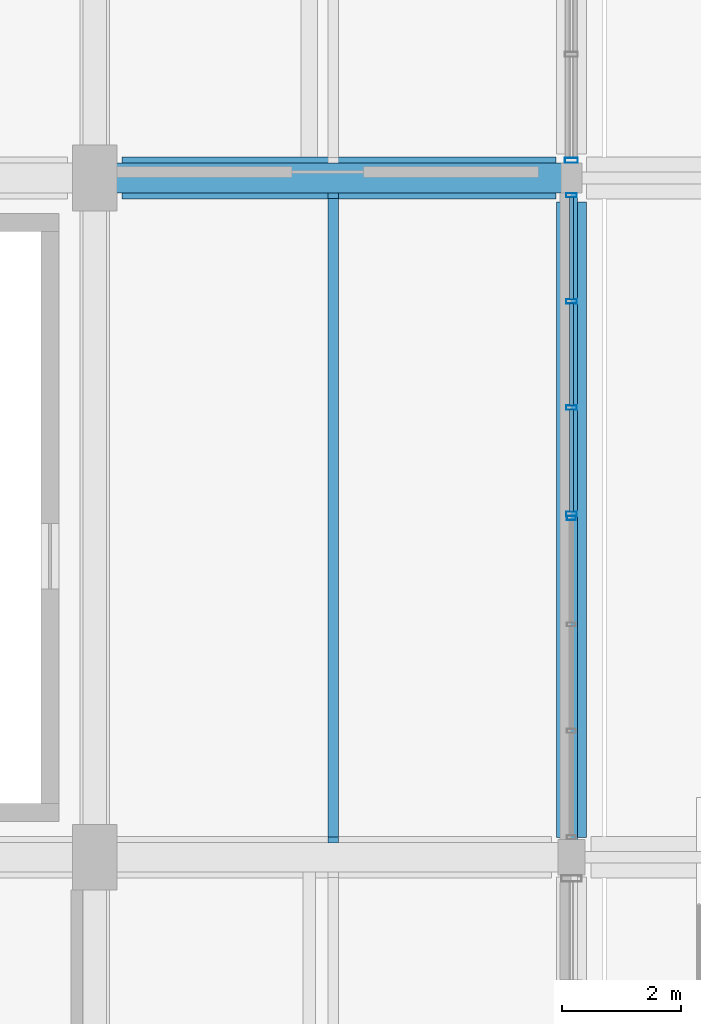
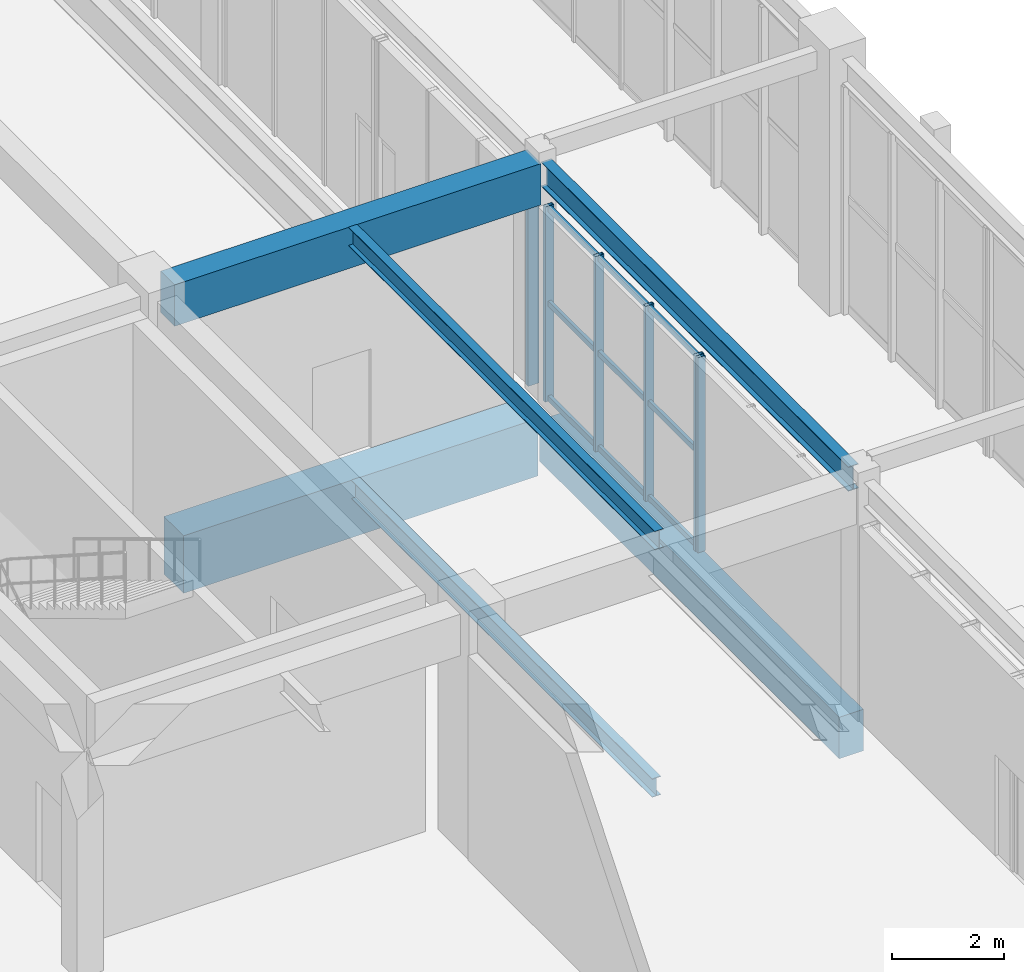
# One storey, part 30 of 113: 15 members, 6 beams, 3 elements without a shape of their own.
"""IFC4 building model written with IfcOpenShell, lengths in metres."""

from ifc_helpers import new_model, si_unit, direction, frame, origin, origin_2d, place, context, subcontext, project, spatial, rectangle, hollow_rectangle, i_section, extrude, material, layer, layer_set, material_profile, profile_set, type_object, element, aggregate, save


model = new_model("IFC4")

# Units and contexts
model_context = context("Model", 3, precision=1e-05, world=origin(), true_north=direction((0.0, 1.0)))
body_context = subcontext(model_context, "Body", "Model", "MODEL_VIEW")
ifc_project = project(units=[si_unit("LENGTHUNIT", "METRE"), si_unit("AREAUNIT", "SQUARE_METRE"), si_unit("VOLUMEUNIT", "CUBIC_METRE"), si_unit("PLANEANGLEUNIT", "RADIAN"), si_unit("MASSUNIT", "GRAM", prefix="KILO"), si_unit("POWERUNIT", "WATT"), si_unit("THERMODYNAMICTEMPERATUREUNIT", "KELVIN")], contexts=[model_context])

# Site, building, storey
site_placement = place(None, origin())
site = spatial("IfcSite", under=ifc_project, at=site_placement, CompositionType="ELEMENT")
building_placement = place(site_placement, origin())
building = spatial("IfcBuilding", under=site, at=building_placement, Name="Kelmbourne Parkland Aquatics Centre", CompositionType="ELEMENT")
storey_placement = place(building_placement, origin())
storey = spatial("IfcBuildingStorey", under=building, at=storey_placement, Name="L00", CompositionType="ELEMENT", Elevation=0.0)

# Beams
ifc_material_1 = material(Name="Concrete C40/50", Category="concrete")
ifc_material_profile_1 = material_profile(ifc_material_1, rectangle(XDim=0.5, YDim=0.89990234375, at=origin_2d()), Name="RC 500x900")
ifc_profile_set_1 = profile_set([ifc_material_profile_1], Name="Concrete C40/50")
beam_type_1 = type_object("IfcBeamType", Name="BM-G03", PredefinedType="BEAM", material=ifc_profile_set_1)
beam_1_placement = place(storey_placement, frame((40.0, 35.330078125, -0.72998046875), z_axis=(0.0, 1.0, 0.0), x_axis=(-1.0, 0.0, 0.0)))
element("IfcBeam", 1, at=beam_1_placement, inside=storey, type_object=beam_type_1, Name="Primary girder 05-06 Grid F (L00)", PredefinedType="BEAM", context=body_context, shape_type="SweptSolid", body=[
    extrude(rectangle(XDim=0.5, YDim=0.89990234375, at=origin_2d()), origin(), (0.0, 0.0, 1.0), 10.6650390625),
])
beam_2_placement = place(storey_placement, frame((32.330078125, 46.39990234375, 4.7099609375), z_axis=(1.0, 0.0, 0.0), x_axis=(0.0, 1.0, 0.0)))
element("IfcBeam", 2, at=beam_2_placement, inside=storey, type_object=beam_type_1, Name="Primary girder E-F Grid 06 (L01)", PredefinedType="BEAM", context=body_context, shape_type="SweptSolid", body=[
    extrude(rectangle(XDim=0.5, YDim=0.89990234375, at=origin_2d()), origin(), (0.0, 0.0, 1.0), 7.5400390625),
])
ifc_material_2 = material(Name="Concrete C50/60", Category="concrete")
ifc_material_profile_2 = material_profile(ifc_material_2, rectangle(XDim=0.699951171875, YDim=1.25, at=origin_2d()), Name="RC 700x1250")
ifc_profile_set_2 = profile_set([ifc_material_profile_2], Name="Concrete C50/60")
beam_type_2 = type_object("IfcBeamType", Name="BM-G08", PredefinedType="BEAM", material=ifc_profile_set_2)
beam_3_placement = place(storey_placement, frame((32.455078125, 46.39990234375, -0.905029296875), z_axis=(1.0, 0.0, 0.0), x_axis=(0.0, 1.0, 0.0)))
element("IfcBeam", 3, at=beam_3_placement, inside=storey, type_object=beam_type_2, Name="Primary girder E-F Grid 06 (L00)", PredefinedType="BEAM", context=body_context, shape_type="SweptSolid", body=[
    extrude(rectangle(XDim=0.699951171875, YDim=1.25, at=origin_2d()), origin(), (0.0, 0.0, 1.0), 7.2900390625),
])
ifc_material_3 = material(Name="Structural steel AS/NZS 3679.1 Grade 300", Category="steel")
ifc_material_profile_3 = material_profile(ifc_material_3, i_section(OverallWidth=0.177978515625, OverallDepth=0.406005859375, WebThickness=0.0078125, FlangeThickness=0.0126953125, at=origin_2d()), Name="410UB59.7")
ifc_profile_set_3 = profile_set([ifc_material_profile_3], Name="Structural steel AS/NZS 3679.1 Grade 300")
beam_type_3 = type_object("IfcBeamType", Name="BM-J01", PredefinedType="JOIST", material=ifc_profile_set_3)
beam_4_placement = place(storey_placement, frame((36.0, 35.342041015625, -0.48291015625), z_axis=(0.0, 1.0, 0.0), x_axis=(-1.0, 0.0, 0.0)))
element("IfcBeam", 4, at=beam_4_placement, inside=storey, type_object=beam_type_3, Name="Secondary floor joist E-F/05-06 #1 (L00)", PredefinedType="JOIST", context=body_context, shape_type="SweptSolid", body=[
    extrude(i_section(OverallWidth=0.177978515625, OverallDepth=0.406005859375, WebThickness=0.0078125, FlangeThickness=0.0126953125, at=origin_2d()), origin(), (0.0, 0.0, 1.0), 10.716064453125),
])
beam_5_placement = place(storey_placement, frame((36.0, 35.241943359375, 4.95703125), z_axis=(0.0, 1.0, 0.0), x_axis=(-1.0, 0.0, 0.0)))
element("IfcBeam", 5, at=beam_5_placement, inside=storey, type_object=beam_type_3, Name="Secondary floor joist E-F/05-06 #1 (L01)", PredefinedType="JOIST", context=body_context, shape_type="SweptSolid", body=[
    extrude(i_section(OverallWidth=0.177978515625, OverallDepth=0.406005859375, WebThickness=0.0078125, FlangeThickness=0.0126953125, at=origin_2d()), origin(), (0.0, 0.0, 1.0), 10.916015625),
])
ifc_material_profile_4 = material_profile(ifc_material_3, i_section(OverallWidth=0.208984375, OverallDepth=0.532958984375, WebThickness=0.01025390625, FlangeThickness=0.015625, at=origin_2d()), Name="530UB92.4")
ifc_profile_set_4 = profile_set([ifc_material_profile_4], Name="Structural steel AS/NZS 3679.1 Grade 300")
beam_type_4 = type_object("IfcBeamType", Name="BM-SP02", PredefinedType="SPANDREL", material=ifc_profile_set_4)
beam_6_placement = place(storey_placement, frame((40.0, 35.2548828125, 4.8935546875), z_axis=(0.0, 1.0, 0.0), x_axis=(-1.0, 0.0, 0.0)))
element("IfcBeam", 6, at=beam_6_placement, inside=storey, type_object=beam_type_4, Name="Perimeter spandrel 05-06 Grid F (L01)", PredefinedType="SPANDREL", context=body_context, shape_type="SweptSolid", body=[
    extrude(i_section(OverallWidth=0.208984375, OverallDepth=0.532958984375, WebThickness=0.01025390625, FlangeThickness=0.015625, at=origin_2d()), origin(), (0.0, 0.0, 1.0), 10.940185546875),
])

# Curtain wall, member
ifc_material_4 = material(Name="Thermally broken anodised aluminium framing", Category="aluminium")
ifc_layer_1 = layer(ifc_material_4, 0.179931640625)
ifc_layer_set_1 = layer_set([ifc_layer_1], Name="Thermally broken anodised aluminium framing")
curtain_wall_type_1 = type_object("IfcCurtainWallType", Name="CW-23", PredefinedType="NOTDEFINED", material=ifc_layer_set_1)
curtain_wall_1_placement = place(storey_placement, origin())
curtain_wall_1 = element("IfcCurtainWall", 7, at=curtain_wall_1_placement, inside=storey, type_object=curtain_wall_type_1, Name="Facade curtain wall CW-L00-215", PredefinedType="NOTDEFINED")
ifc_material_profile_5 = material_profile(ifc_material_4, hollow_rectangle(XDim=0.06494140625, YDim=0.14990234375, WallThickness=0.00390625, at=origin_2d()), Name="CW-M 65x150")
ifc_profile_set_5 = profile_set([ifc_material_profile_5], Name="Thermally broken anodised aluminium framing")
member_type_1 = type_object("IfcMemberType", Name="MB-MUL-1", PredefinedType="MULLION", material=ifc_profile_set_5)
member_1_placement = place(storey_placement, frame((40.0, 40.6923828125, 0.0), z_axis=(0.0, 0.0, 1.0), x_axis=(0.0, 1.0, 0.0)))
member_1 = element("IfcMember", 8, at=member_1_placement, type_object=member_type_1, Name="CW-L00-215 mullion 3", PredefinedType="MULLION", context=body_context, shape_type="SweptSolid", body=[
    extrude(hollow_rectangle(XDim=0.06494140625, YDim=0.14990234375, WallThickness=0.00390625, at=origin_2d()), origin(), (0.0, 0.0, 1.0), 4.2451171875),
])
aggregate(curtain_wall_1, [member_1])

# Curtain wall, members
ifc_layer_2 = layer(ifc_material_4, 0.179931640625)
ifc_layer_set_2 = layer_set([ifc_layer_2], Name="Thermally broken anodised aluminium framing")
curtain_wall_type_2 = type_object("IfcCurtainWallType", Name="CW-24", PredefinedType="NOTDEFINED", material=ifc_layer_set_2)
curtain_wall_2_placement = place(storey_placement, origin())
curtain_wall_2 = element("IfcCurtainWall", 9, at=curtain_wall_2_placement, inside=storey, type_object=curtain_wall_type_2, Name="Facade curtain wall CW-L00-216", PredefinedType="NOTDEFINED")
ifc_material_profile_6 = material_profile(ifc_material_4, hollow_rectangle(XDim=0.074951171875, YDim=0.179931640625, WallThickness=0.00439453125, at=origin_2d()), Name="CW-M 75x180")
ifc_profile_set_6 = profile_set([ifc_material_profile_6], Name="Thermally broken anodised aluminium framing")
member_type_2 = type_object("IfcMemberType", Name="MB-MUL-2", PredefinedType="MULLION", material=ifc_profile_set_6)
member_2_placement = place(storey_placement, frame((40.0, 40.762451171875, 0.0), z_axis=(0.0, 0.0, 1.0), x_axis=(0.0, 1.0, 0.0)))
member_2 = element("IfcMember", 10, at=member_2_placement, type_object=member_type_2, Name="CW-L00-216 mullion 0", PredefinedType="MULLION", context=body_context, shape_type="SweptSolid", body=[
    extrude(hollow_rectangle(XDim=0.074951171875, YDim=0.179931640625, WallThickness=0.00439453125, at=origin_2d()), origin(), (0.0, 0.0, 1.0), 4.2451171875),
])
member_3_placement = place(storey_placement, frame((40.0, 42.545166015625, 0.0), z_axis=(0.0, 0.0, 1.0), x_axis=(0.0, 1.0, 0.0)))
member_3 = element("IfcMember", 11, at=member_3_placement, type_object=member_type_2, Name="CW-L00-216 mullion 1", PredefinedType="MULLION", context=body_context, shape_type="SweptSolid", body=[
    extrude(hollow_rectangle(XDim=0.074951171875, YDim=0.179931640625, WallThickness=0.00439453125, at=origin_2d()), origin(), (0.0, 0.0, 1.0), 4.2451171875),
])
member_4_placement = place(storey_placement, frame((40.0, 44.327880859375, 0.0), z_axis=(0.0, 0.0, 1.0), x_axis=(0.0, 1.0, 0.0)))
member_4 = element("IfcMember", 12, at=member_4_placement, type_object=member_type_2, Name="CW-L00-216 mullion 2", PredefinedType="MULLION", context=body_context, shape_type="SweptSolid", body=[
    extrude(hollow_rectangle(XDim=0.074951171875, YDim=0.179931640625, WallThickness=0.00439453125, at=origin_2d()), origin(), (0.0, 0.0, 1.0), 4.2451171875),
])
member_5_placement = place(storey_placement, frame((40.0, 46.110595703125, 0.0), z_axis=(0.0, 0.0, 1.0), x_axis=(0.0, 1.0, 0.0)))
member_5 = element("IfcMember", 13, at=member_5_placement, type_object=member_type_2, Name="CW-L00-216 mullion 3", PredefinedType="MULLION", context=body_context, shape_type="SweptSolid", body=[
    extrude(hollow_rectangle(XDim=0.074951171875, YDim=0.179931640625, WallThickness=0.00439453125, at=origin_2d()), origin(), (0.0, 0.0, 1.0), 4.2451171875),
])

# Curtain wall, member
ifc_layer_3 = layer(ifc_material_4, 0.179931640625)
ifc_layer_set_3 = layer_set([ifc_layer_3], Name="Thermally broken anodised aluminium framing")
curtain_wall_type_3 = type_object("IfcCurtainWallType", Name="CW-01", PredefinedType="NOTDEFINED", material=ifc_layer_set_3)
curtain_wall_3_placement = place(storey_placement, origin())
curtain_wall_3 = element("IfcCurtainWall", 14, at=curtain_wall_3_placement, inside=storey, type_object=curtain_wall_type_3, Name="Facade curtain wall CW-L00-217", PredefinedType="NOTDEFINED")
ifc_material_profile_7 = material_profile(ifc_material_4, hollow_rectangle(XDim=0.0849609375, YDim=0.219970703125, WallThickness=0.0048828125, at=origin_2d()), Name="CW-M 85x220")
ifc_profile_set_7 = profile_set([ifc_material_profile_7], Name="Thermally broken anodised aluminium framing")
member_type_3 = type_object("IfcMemberType", Name="MB-MUL-3", PredefinedType="MULLION", material=ifc_profile_set_7)
member_6_placement = place(storey_placement, frame((40.0, 46.694580078125, 0.0), z_axis=(0.0, 0.0, 1.0), x_axis=(0.0, 1.0, 0.0)))
member_6 = element("IfcMember", 15, at=member_6_placement, type_object=member_type_3, Name="CW-L00-217 mullion 0", PredefinedType="MULLION", context=body_context, shape_type="SweptSolid", body=[
    extrude(hollow_rectangle(XDim=0.0849609375, YDim=0.219970703125, WallThickness=0.0048828125, at=origin_2d()), origin(), (0.0, 0.0, 1.0), 4.2451171875),
])
aggregate(curtain_wall_3, [member_6])

# Member
ifc_material_profile_8 = material_profile(ifc_material_4, hollow_rectangle(XDim=0.06494140625, YDim=0.1201171875, WallThickness=0.00341796875, at=origin_2d()), Name="CW-T 65x120")
ifc_profile_set_8 = profile_set([ifc_material_profile_8], Name="Thermally broken anodised aluminium framing")
member_type_4 = type_object("IfcMemberType", Name="MB-TRN-1", PredefinedType="USERDEFINED", material=ifc_profile_set_8)
member_7_placement = place(storey_placement, frame((40.0, 40.7958984375, 0.06298828125), z_axis=(0.0, 1.0, 0.0), x_axis=(-1.0, 0.0, 0.0)))
member_7 = element("IfcMember", 16, at=member_7_placement, type_object=member_type_4, Name="CW-L00-216 transom 0-0", ObjectType="TRANSOM", PredefinedType="USERDEFINED", context=body_context, shape_type="SweptSolid", body=[
    extrude(hollow_rectangle(XDim=0.06494140625, YDim=0.1201171875, WallThickness=0.00341796875, at=origin_2d()), origin(), (0.0, 0.0, 1.0), 1.7158203125),
])

member_8_placement = place(storey_placement, frame((40.0, 42.57861328125, 0.06298828125), z_axis=(0.0, 1.0, 0.0), x_axis=(-1.0, 0.0, 0.0)))
member_8 = element("IfcMember", 17, at=member_8_placement, type_object=member_type_4, Name="CW-L00-216 transom 0-1", ObjectType="TRANSOM", PredefinedType="USERDEFINED", context=body_context, shape_type="SweptSolid", body=[
    extrude(hollow_rectangle(XDim=0.06494140625, YDim=0.1201171875, WallThickness=0.00341796875, at=origin_2d()), origin(), (0.0, 0.0, 1.0), 1.715576171875),
])

member_9_placement = place(storey_placement, frame((40.0, 44.361328125, 0.06298828125), z_axis=(0.0, 1.0, 0.0), x_axis=(-1.0, 0.0, 0.0)))
member_9 = element("IfcMember", 18, at=member_9_placement, type_object=member_type_4, Name="CW-L00-216 transom 0-2", ObjectType="TRANSOM", PredefinedType="USERDEFINED", context=body_context, shape_type="SweptSolid", body=[
    extrude(hollow_rectangle(XDim=0.06494140625, YDim=0.1201171875, WallThickness=0.00341796875, at=origin_2d()), origin(), (0.0, 0.0, 1.0), 1.715576171875),
])

member_10_placement = place(storey_placement, frame((40.0, 40.7958984375, 2.12255859375), z_axis=(0.0, 1.0, 0.0), x_axis=(-1.0, 0.0, 0.0)))
member_10 = element("IfcMember", 19, at=member_10_placement, type_object=member_type_4, Name="CW-L00-216 transom 1-0", ObjectType="TRANSOM", PredefinedType="USERDEFINED", context=body_context, shape_type="SweptSolid", body=[
    extrude(hollow_rectangle(XDim=0.06494140625, YDim=0.1201171875, WallThickness=0.00341796875, at=origin_2d()), origin(), (0.0, 0.0, 1.0), 1.7158203125),
])

member_11_placement = place(storey_placement, frame((40.0, 42.57861328125, 2.12255859375), z_axis=(0.0, 1.0, 0.0), x_axis=(-1.0, 0.0, 0.0)))
member_11 = element("IfcMember", 20, at=member_11_placement, type_object=member_type_4, Name="CW-L00-216 transom 1-1", ObjectType="TRANSOM", PredefinedType="USERDEFINED", context=body_context, shape_type="SweptSolid", body=[
    extrude(hollow_rectangle(XDim=0.06494140625, YDim=0.1201171875, WallThickness=0.00341796875, at=origin_2d()), origin(), (0.0, 0.0, 1.0), 1.715576171875),
])

member_12_placement = place(storey_placement, frame((40.0, 44.361328125, 2.12255859375), z_axis=(0.0, 1.0, 0.0), x_axis=(-1.0, 0.0, 0.0)))
member_12 = element("IfcMember", 21, at=member_12_placement, type_object=member_type_4, Name="CW-L00-216 transom 1-2", ObjectType="TRANSOM", PredefinedType="USERDEFINED", context=body_context, shape_type="SweptSolid", body=[
    extrude(hollow_rectangle(XDim=0.06494140625, YDim=0.1201171875, WallThickness=0.00341796875, at=origin_2d()), origin(), (0.0, 0.0, 1.0), 1.715576171875),
])

member_13_placement = place(storey_placement, frame((40.0, 40.7958984375, 4.181884765625), z_axis=(0.0, 1.0, 0.0), x_axis=(-1.0, 0.0, 0.0)))
member_13 = element("IfcMember", 22, at=member_13_placement, type_object=member_type_4, Name="CW-L00-216 transom 2-0", ObjectType="TRANSOM", PredefinedType="USERDEFINED", context=body_context, shape_type="SweptSolid", body=[
    extrude(hollow_rectangle(XDim=0.06494140625, YDim=0.1201171875, WallThickness=0.00341796875, at=origin_2d()), origin(), (0.0, 0.0, 1.0), 1.7158203125),
])

member_14_placement = place(storey_placement, frame((40.0, 42.57861328125, 4.181884765625), z_axis=(0.0, 1.0, 0.0), x_axis=(-1.0, 0.0, 0.0)))
member_14 = element("IfcMember", 23, at=member_14_placement, type_object=member_type_4, Name="CW-L00-216 transom 2-1", ObjectType="TRANSOM", PredefinedType="USERDEFINED", context=body_context, shape_type="SweptSolid", body=[
    extrude(hollow_rectangle(XDim=0.06494140625, YDim=0.1201171875, WallThickness=0.00341796875, at=origin_2d()), origin(), (0.0, 0.0, 1.0), 1.715576171875),
])

member_15_placement = place(storey_placement, frame((40.0, 44.361328125, 4.181884765625), z_axis=(0.0, 1.0, 0.0), x_axis=(-1.0, 0.0, 0.0)))
member_15 = element("IfcMember", 24, at=member_15_placement, type_object=member_type_4, Name="CW-L00-216 transom 2-2", ObjectType="TRANSOM", PredefinedType="USERDEFINED", context=body_context, shape_type="SweptSolid", body=[
    extrude(hollow_rectangle(XDim=0.06494140625, YDim=0.1201171875, WallThickness=0.00341796875, at=origin_2d()), origin(), (0.0, 0.0, 1.0), 1.715576171875),
])

aggregate(curtain_wall_2, [member_2, member_3, member_4, member_5, member_7, member_8, member_9, member_10, member_11, member_12, member_13, member_14, member_15])

save(model, "model.ifc")
